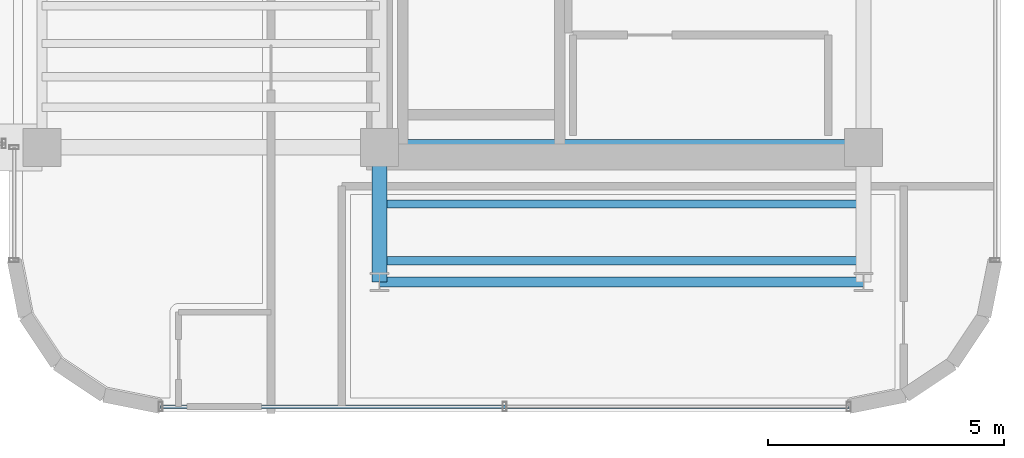
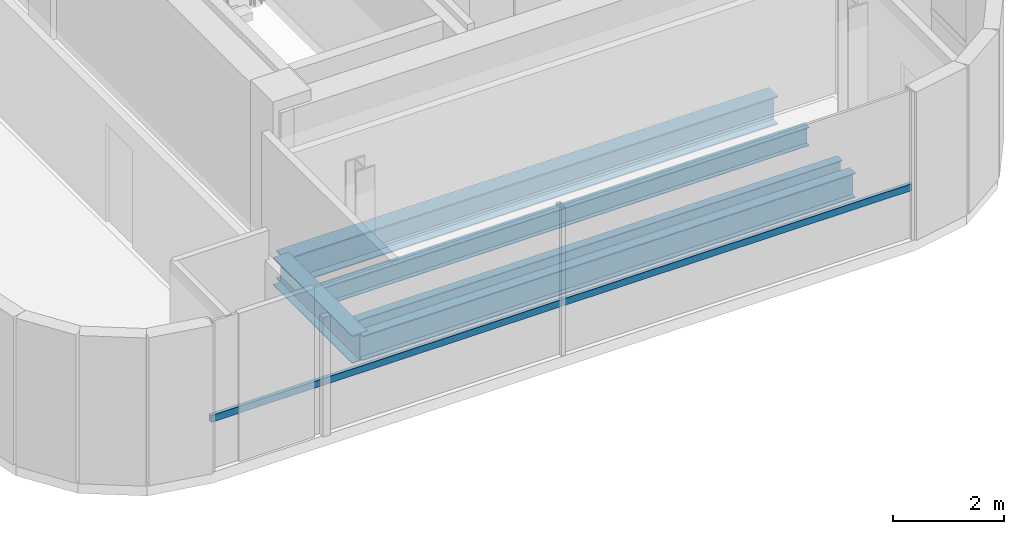
# One storey, part 3 of 19: 5 beams, 1 member, 1 element without a shape of its own.
"""IFC4 building model written with IfcOpenShell, lengths in metres."""

from ifc_helpers import new_model, si_unit, direction, frame, origin, origin_2d, place, context, subcontext, project, spatial, hollow_rectangle, i_section, extrude, source, transform, mapped, material, material_profile, profile_set, type_object, element, aggregate, save


model = new_model("IFC4")

# Units and contexts
model_context = context("Model", 3, precision=1e-05, world=origin(), true_north=direction((0.0, 1.0)))
body_context = subcontext(model_context, "Body", "Model", "MODEL_VIEW")
ifc_project = project(units=[si_unit("LENGTHUNIT", "METRE"), si_unit("AREAUNIT", "SQUARE_METRE"), si_unit("VOLUMEUNIT", "CUBIC_METRE"), si_unit("PLANEANGLEUNIT", "RADIAN"), si_unit("MASSUNIT", "GRAM", prefix="KILO")], contexts=[model_context])

# Site, building, storey
site_placement = place(None, origin())
site = spatial("IfcSite", under=ifc_project, at=site_placement, CompositionType="ELEMENT")
building_placement = place(site_placement, origin())
building = spatial("IfcBuilding", under=site, at=building_placement, Name="Valdorenza Pilgrim Sanctuary Tower", CompositionType="ELEMENT")
storey_placement = place(building_placement, frame((0.0, 0.0, 269.5)))
storey = spatial("IfcBuildingStorey", under=building, at=storey_placement, Name="L70", CompositionType="ELEMENT", Elevation=269.5)

# Beams
ifc_material_1 = material(Name="Steel ASTM A992 Grade 50", Category="steel")
ifc_material_profile_1 = material_profile(ifc_material_1, i_section(OverallWidth=0.323974609375, OverallDepth=0.611083984375, WebThickness=0.0126953125, FlangeThickness=0.01904296875, at=origin_2d()), Name="W24X104")
ifc_profile_set_1 = profile_set([ifc_material_profile_1], Name="Steel ASTM A992 Grade 50")
beam_type_1 = type_object("IfcBeamType", Name="STR-BM-GRD-W24B", PredefinedType="BEAM", material=ifc_profile_set_1)
shared_shape_1 = source(origin(), body_context, "Body", "SweptSolid", [
    extrude(i_section(OverallWidth=0.323974609375, OverallDepth=0.611083984375, WebThickness=0.0126953125, FlangeThickness=0.01904296875, at=origin_2d()), origin(), (0.0, 0.0, 1.0), 2.849853515625),
])
beam_1_placement = place(storey_placement, frame((-22.64990234375, -13.449951171875, -0.54541015625), z_axis=(0.0, 1.0, 0.0), x_axis=(-1.0, 0.0, 0.0)))
element("IfcBeam", 1, at=beam_1_placement, inside=storey, type_object=beam_type_1, Name="L70 Floor Girder WA-S-LW", PredefinedType="BEAM", context=body_context, shape_type="MappedRepresentation", body=[
    mapped(shared_shape_1, transform((0.0, 0.0, 0.0), x_axis=(1.0, 0.0, 0.0), y_axis=(0.0, 1.0, 0.0), z_axis=(0.0, 0.0, 1.0), scale=1.0)),
])
ifc_material_profile_2 = material_profile(ifc_material_1, i_section(OverallWidth=0.2109375, OverallDepth=0.5390625, WebThickness=0.01171875, FlangeThickness=0.018798828125, at=origin_2d()), Name="W21X73")
ifc_profile_set_2 = profile_set([ifc_material_profile_2], Name="Steel ASTM A992 Grade 50")
beam_type_2 = type_object("IfcBeamType", Name="STR-BM-SPN-W21B", PredefinedType="SPANDREL", material=ifc_profile_set_2)
shared_shape_2 = source(origin(), body_context, "Body", "SweptSolid", [
    extrude(i_section(OverallWidth=0.2109375, OverallDepth=0.5390625, WebThickness=0.01171875, FlangeThickness=0.018798828125, at=origin_2d()), origin(), (0.0, 0.0, 1.0), 10.25),
])
beam_2_placement = place(storey_placement, frame((-22.64990234375, -13.449951171875, -0.509521484375), z_axis=(1.0, 0.0, 0.0), x_axis=(0.0, 1.0, 0.0)))
element("IfcBeam", 2, at=beam_2_placement, inside=storey, type_object=beam_type_2, Name="L70 South Spandrel WA-S-TIE", PredefinedType="SPANDREL", context=body_context, shape_type="MappedRepresentation", body=[
    mapped(shared_shape_2, transform((0.0, 0.0, 0.0), x_axis=(1.0, 0.0, 0.0), y_axis=(0.0, 1.0, 0.0), z_axis=(0.0, 0.0, 1.0), scale=1.0)),
])
ifc_material_profile_3 = material_profile(ifc_material_1, i_section(OverallWidth=0.177978515625, OverallDepth=0.406005859375, WebThickness=0.0078125, FlangeThickness=0.0126953125, at=origin_2d()), Name="W16X40")
ifc_profile_set_3 = profile_set([ifc_material_profile_3], Name="Steel ASTM A992 Grade 50")
beam_type_3 = type_object("IfcBeamType", Name="STR-BM-JST-W16", PredefinedType="JOIST", material=ifc_profile_set_3)
shared_shape_3 = source(origin(), body_context, "Body", "SweptSolid", [
    extrude(i_section(OverallWidth=0.177978515625, OverallDepth=0.406005859375, WebThickness=0.0078125, FlangeThickness=0.0126953125, at=origin_2d()), origin(), (0.0, 0.0, 1.0), 10.25),
])
for number, where, z_axis, x_axis, name in (
    (3, (-22.64990234375, -13.0, -0.443115234375), (1.0, 0.0, 0.0), (0.0, 1.0, 0.0), "L70 Composite Floor Joist JST-WAS-1"),
    (4, (-22.64990234375, -11.800048828125, -0.443115234375), (1.0, 0.0, 0.0), (0.0, 1.0, 0.0), "L70 Composite Floor Joist JST-WAS-2"),
):
    element("IfcBeam", number, at=place(storey_placement, frame(where, z_axis=z_axis, x_axis=x_axis)), inside=storey, type_object=beam_type_3, Name=name, PredefinedType="JOIST", context=body_context, shape_type="MappedRepresentation", body=[
        mapped(shared_shape_3, transform((0.0, 0.0, 0.0), x_axis=(1.0, 0.0, 0.0), y_axis=(0.0, 1.0, 0.0), z_axis=(0.0, 0.0, 1.0), scale=1.0)),
    ])
ifc_material_profile_4 = material_profile(ifc_material_1, i_section(OverallWidth=0.326904296875, OverallDepth=0.6220703125, WebThickness=0.015380859375, FlangeThickness=0.0244140625, at=origin_2d()), Name="W24X131")
ifc_profile_set_4 = profile_set([ifc_material_profile_4], Name="Steel ASTM A992 Grade 50")
beam_type_4 = type_object("IfcBeamType", Name="STR-BM-GRD-W24A", PredefinedType="BEAM", material=ifc_profile_set_4)
shared_shape_4 = source(origin(), body_context, "Body", "SweptSolid", [
    extrude(i_section(OverallWidth=0.326904296875, OverallDepth=0.6220703125, WebThickness=0.015380859375, FlangeThickness=0.0244140625, at=origin_2d()), origin(), (0.0, 0.0, 1.0), 10.25),
])
beam_3_placement = place(storey_placement, frame((-22.64990234375, -10.60009765625, -0.551025390625), z_axis=(1.0, 0.0, 0.0), x_axis=(0.0, 1.0, 0.0)))
element("IfcBeam", 5, at=beam_3_placement, inside=storey, type_object=beam_type_4, Name="L70 Floor Girder CA-XC-S1", PredefinedType="BEAM", context=body_context, shape_type="MappedRepresentation", body=[
    mapped(shared_shape_4, transform((0.0, 0.0, 0.0), x_axis=(1.0, 0.0, 0.0), y_axis=(0.0, 1.0, 0.0), z_axis=(0.0, 0.0, 1.0), scale=1.0)),
])

# Curtain wall, member
ifc_material_2 = material(Name="Curtain-wall IGU glazing", Category="glass")
curtain_wall_type = type_object("IfcCurtainWallType", Name="CW-SYS-02", PredefinedType="NOTDEFINED", material=ifc_material_2)
curtain_wall_placement = place(storey_placement, origin())
curtain_wall = element("IfcCurtainWall", 6, at=curtain_wall_placement, inside=storey, type_object=curtain_wall_type, Name="L70 Curtain Wall CW-L70-1-26", PredefinedType="NOTDEFINED")
ifc_material_3 = material(Name="Anodised aluminium AW-6060", Category="aluminium")
ifc_material_profile_5 = material_profile(ifc_material_3, hollow_rectangle(XDim=0.074951171875, YDim=0.14990234375, WallThickness=0.00390625, at=origin_2d()), Name="ALU-T 150x75x4")
ifc_profile_set_5 = profile_set([ifc_material_profile_5], Name="Anodised aluminium AW-6060")
member_type = type_object("IfcMemberType", Name="CW-TRN-02", PredefinedType="USERDEFINED", material=ifc_profile_set_5)
shared_shape_5 = source(origin(), body_context, "Body", "SweptSolid", [
    extrude(hollow_rectangle(XDim=0.074951171875, YDim=0.14990234375, WallThickness=0.00390625, at=origin_2d()), origin(), (0.0, 0.0, 1.0), 14.57861328125),
])
member_placement = place(storey_placement, frame((-12.710693359375, -16.090087890625, 1.1201171875), z_axis=(-1.0, 0.0, 0.0), x_axis=(0.0, -1.0, 0.0)))
member = element("IfcMember", 7, at=member_placement, type_object=member_type, Name="CW-L70-1-26 Transom 1", ObjectType="TRANSOM", PredefinedType="USERDEFINED", context=body_context, shape_type="MappedRepresentation", body=[
    mapped(shared_shape_5, transform((0.0, 0.0, 0.0), x_axis=(1.0, 0.0, 0.0), y_axis=(0.0, 1.0, 0.0), z_axis=(0.0, 0.0, 1.0), scale=1.0)),
])
aggregate(curtain_wall, [member])

save(model, "model.ifc")
